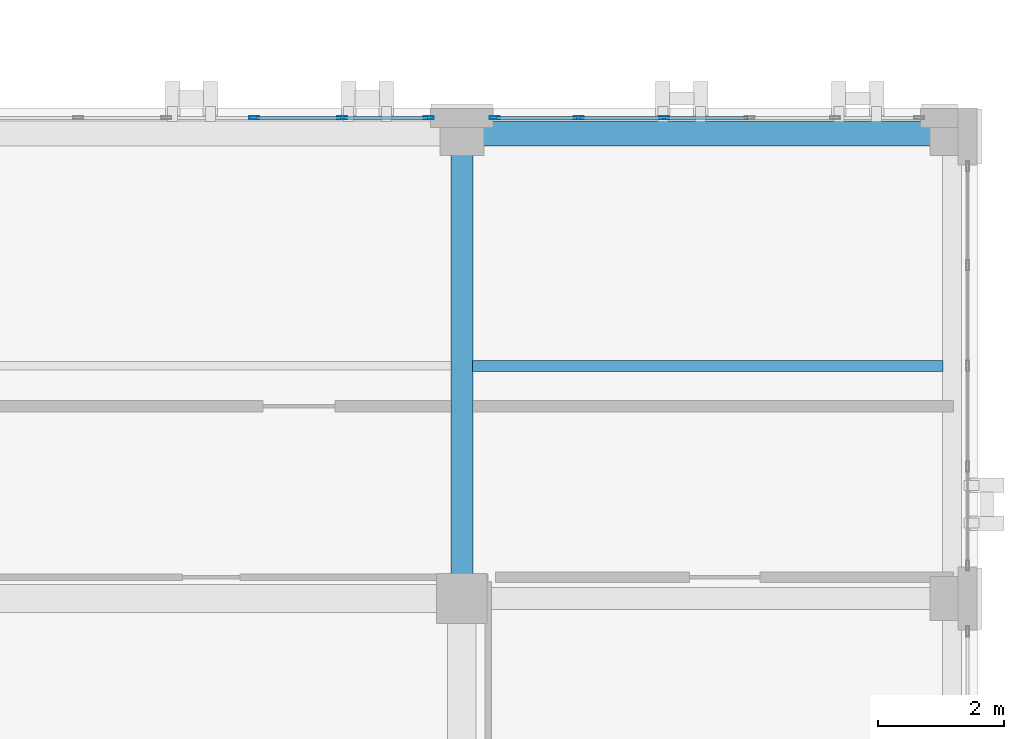
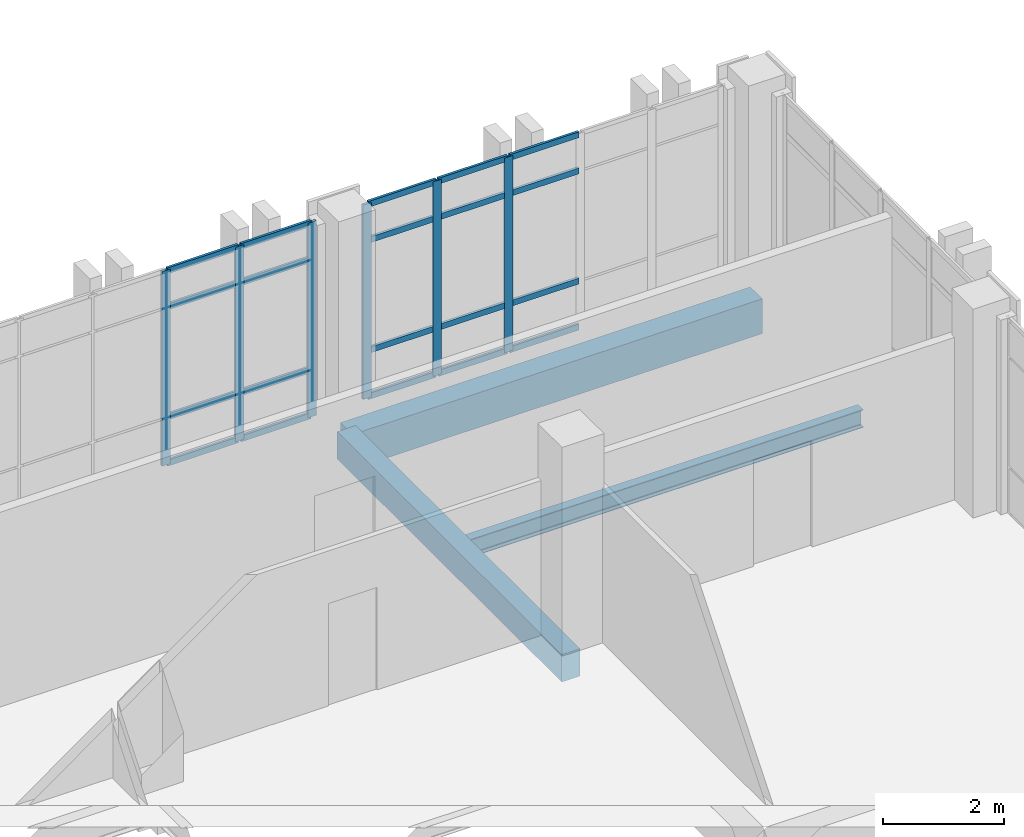
# One storey, part 127 of 193: 26 members, 3 beams, 2 elements without a shape of their own.
"""IFC4 building model written with IfcOpenShell, lengths in metres."""

import ifcopenshell
import ifcopenshell.guid

model = None  # the IFC model being written
_history = None  # IfcOwnerHistory: only IFC2X3 demands one
_inside = {}  # id of a spatial element -> (the spatial element, [elements in it])
_under = {}  # id of a project, library or spatial element -> (it, [spatial elements below it])
_declared = {}  # id of a project -> (the project, [libraries it declares])
_typed = {}  # id of a type object -> (the type object, [elements of that type])
_made_of = {}  # id of a material, layer set ... -> (it, [elements and type objects made of it])


def new_model(schema):
    """Start an empty IFC model of exactly this schema.

    Asked for "IFC4X3", IfcOpenShell would pick the latest addendum, in which some entities
    have other attributes; the version numbers below select the first issue.
    IFC2X3 requires an IfcOwnerHistory on every rooted entity: one is made here for all.
    """
    global model, _history
    if schema == "IFC4X3":
        model = ifcopenshell.file(schema_version=(4, 3, 0, 0))
    else:
        model = ifcopenshell.file(schema=schema)
    _inside.clear()
    _under.clear()
    _declared.clear()
    _typed.clear()
    _made_of.clear()
    _history = None
    if model.schema == "IFC2X3":
        org = make("IfcOrganization", Name="unknown")
        user = make(
            "IfcPersonAndOrganization",
            ThePerson=make("IfcPerson", FamilyName="unknown"),
            TheOrganization=org,
        )
        app = make(
            "IfcApplication",
            ApplicationDeveloper=org,
            Version="unknown",
            ApplicationFullName="unknown",
            ApplicationIdentifier="unknown",
        )
        _history = make(
            "IfcOwnerHistory",
            OwningUser=user,
            OwningApplication=app,
            ChangeAction="ADDED",
            CreationDate=0,
        )
    return model


def make(cls, **values):
    """One entity of the class cls with the attributes given. An attribute that is None is left unset."""
    return model.create_entity(
        cls, **{name: value for name, value in values.items() if value is not None}
    )


def rooted(cls, **values):
    """An entity with a GlobalId (a new one), such as an element, a storey or a relation."""
    return make(cls, GlobalId=ifcopenshell.guid.new(), OwnerHistory=_history, **values)


def si_unit(unit_type, name, prefix=None):
    """IfcSIUnit, for example si_unit("LENGTHUNIT", "METRE", prefix="MILLI")."""
    return make("IfcSIUnit", UnitType=unit_type, Prefix=prefix, Name=name)


def assignment(units):
    """IfcUnitAssignment: the units of a project."""
    return None if units is None else make("IfcUnitAssignment", Units=units)


def point(xyz):
    """IfcCartesianPoint."""
    return None if xyz is None else make("IfcCartesianPoint", Coordinates=xyz)


def direction(xyz):
    """IfcDirection."""
    return None if xyz is None else make("IfcDirection", DirectionRatios=xyz)


def frame(location, z_axis=None, x_axis=None):
    """IfcAxis2Placement3D, a coordinate frame: its origin and axes. An axis left out is left unset."""
    return make(
        "IfcAxis2Placement3D",
        Location=point(location),
        Axis=direction(z_axis),
        RefDirection=direction(x_axis),
    )


def frame_2d(location, x_axis=None):
    """IfcAxis2Placement2D, a coordinate frame in the plane: its origin and x axis."""
    return make(
        "IfcAxis2Placement2D", Location=point(location), RefDirection=direction(x_axis)
    )


def origin():
    """The frame at (0, 0, 0) with its axes left unset."""
    return frame((0.0, 0.0, 0.0))


def origin_2d():
    """The frame at (0, 0) in the plane with its x axis left unset."""
    return frame_2d((0.0, 0.0))


def place(relative_to, where):
    """IfcLocalPlacement: puts the frame where relative to a parent placement (None: the world)."""
    return make(
        "IfcLocalPlacement", PlacementRelTo=relative_to, RelativePlacement=where
    )


def context(
    kind, dimensions, precision=None, world=None, true_north=None, identifier=None
):
    """IfcGeometricRepresentationContext, for example the 3D "Model" context."""
    return make(
        "IfcGeometricRepresentationContext",
        ContextIdentifier=identifier,
        ContextType=kind,
        CoordinateSpaceDimension=dimensions,
        Precision=precision,
        WorldCoordinateSystem=world,
        TrueNorth=true_north,
    )


def subcontext(parent, identifier, kind, view, scale=None):
    """IfcGeometricRepresentationSubContext, for example "Body" below "Model"."""
    return make(
        "IfcGeometricRepresentationSubContext",
        ContextIdentifier=identifier,
        ContextType=kind,
        ParentContext=parent,
        TargetScale=scale,
        TargetView=view,
    )


def project(units=None, contexts=None):
    """IfcProject with its units and contexts."""
    return rooted(
        "IfcProject",
        Name="project",
        RepresentationContexts=contexts,
        UnitsInContext=assignment(units),
    )


def spatial(cls, under=None, at=None, **own):
    """A site, building, storey or space (cls), placed at a placement, below another one or the project."""
    s = rooted(cls, ObjectPlacement=at, **own)
    if under is not None:
        _under.setdefault(under.id(), (under, []))[1].append(s)
    return s


def profile(cls, at=None, kind="AREA", **sizes):
    """A parametric profile (cls). Its sizes go by their IFC names, for example OverallWidth=200.0."""
    return make(cls, ProfileType=kind, Position=at, **sizes)


def rectangle(**sizes):
    """IfcRectangleProfileDef."""
    return profile("IfcRectangleProfileDef", **sizes)


def hollow_rectangle(**sizes):
    """IfcRectangleHollowProfileDef."""
    return profile("IfcRectangleHollowProfileDef", **sizes)


def i_section(**sizes):
    """IfcIShapeProfileDef."""
    return profile("IfcIShapeProfileDef", **sizes)


def extrude(swept, where, along, depth):
    """IfcExtrudedAreaSolid: the profile swept, set in the frame where, extruded along a direction by depth."""
    return make(
        "IfcExtrudedAreaSolid",
        SweptArea=swept,
        Position=where,
        ExtrudedDirection=direction(along),
        Depth=depth,
    )


def shape(context_of_items, identifier, shape_type, items):
    """IfcShapeRepresentation: the items that make up one representation, for example the "Body"."""
    return make(
        "IfcShapeRepresentation",
        ContextOfItems=context_of_items,
        RepresentationIdentifier=identifier,
        RepresentationType=shape_type,
        Items=items,
    )


def material(Name=None, Category=None):
    """IfcMaterial."""
    return make("IfcMaterial", Name=Name, Category=Category)


def layer(
    of_material, thickness, ventilated=None, Name=None, Category=None, Priority=None
):
    """IfcMaterialLayer: one layer of a wall or slab, of a material (None: an air gap)."""
    return make(
        "IfcMaterialLayer",
        Material=of_material,
        LayerThickness=thickness,
        IsVentilated=ventilated,
        Name=Name,
        Category=Category,
        Priority=Priority,
    )


def layer_set(layers, Name=None):
    """IfcMaterialLayerSet."""
    return make("IfcMaterialLayerSet", MaterialLayers=layers, LayerSetName=Name)


def material_profile(
    of_material, cross_section, Name=None, Category=None, Priority=None
):
    """IfcMaterialProfile: a cross section and its material."""
    return make(
        "IfcMaterialProfile",
        Name=Name,
        Material=of_material,
        Profile=cross_section,
        Priority=Priority,
        Category=Category,
    )


def profile_set(profiles, Name=None, composite=None):
    """IfcMaterialProfileSet."""
    return make(
        "IfcMaterialProfileSet",
        Name=Name,
        MaterialProfiles=profiles,
        CompositeProfile=composite,
    )


def made_of(thing, what):
    """Note that an element or type object is made of a material, layer set ...; save() writes the relation."""
    if what is not None:
        _made_of.setdefault(what.id(), (what, []))[1].append(thing)
    return thing


def type_object(cls, material=None, **own):
    """A type object (cls), such as IfcWallType, which elements share."""
    return made_of(rooted(cls, **own), material)


def element(
    cls,
    number,
    at=None,
    inside=None,
    cuts=None,
    type_object=None,
    material=None,
    context=None,
    identifier="Body",
    shape_type=None,
    held_by="IfcProductDefinitionShape",
    body=None,
    shapes=None,
    **own,
):
    """One element of the class cls, such as IfcWall. Its Tag is "e" and its number.

    at: its placement. inside: the storey or other place that contains it. cuts: it is an
    opening in that element (IfcRelVoidsElement). A single representation is given by context,
    identifier, shape_type and body (its items); several are given by shapes. held_by: the class
    of the entity that holds the representations. save() writes the other relations.
    """
    e = rooted(cls, Tag="e%d" % number, ObjectPlacement=at, **own)
    if body is not None:
        shapes = [shape(context, identifier, shape_type, body)]
    if shapes is not None:
        e.Representation = make(held_by, Representations=shapes)
    if inside is not None:
        _inside.setdefault(inside.id(), (inside, []))[1].append(e)
    if cuts is not None:
        rooted(
            "IfcRelVoidsElement", RelatingBuildingElement=cuts, RelatedOpeningElement=e
        )
    if type_object is not None:
        _typed.setdefault(type_object.id(), (type_object, []))[1].append(e)
    return made_of(e, material)


def aggregate(whole, parts):
    """IfcRelAggregates: a whole, such as a stair, and the parts it consists of."""
    return rooted("IfcRelAggregates", RelatingObject=whole, RelatedObjects=parts)


def save(model, path):
    """Write the relations noted so far, then the file.

    IfcRelAggregates (storeys below a building ...), IfcRelContainedInSpatialStructure (elements
    in a storey), IfcRelDefinesByType, IfcRelAssociatesMaterial and IfcRelDeclares: one each for
    every whole, place, type object, material and project.
    """
    for whole, parts in _under.values():
        aggregate(whole, parts)
    for where, things in _inside.values():
        rooted(
            "IfcRelContainedInSpatialStructure",
            RelatedElements=things,
            RelatingStructure=where,
        )
    for kind, things in _typed.values():
        rooted("IfcRelDefinesByType", RelatedObjects=things, RelatingType=kind)
    for what, things in _made_of.values():
        rooted("IfcRelAssociatesMaterial", RelatedObjects=things, RelatingMaterial=what)
    for by, libraries in _declared.values():
        rooted("IfcRelDeclares", RelatingContext=by, RelatedDefinitions=libraries)
    model.write(path)


model = new_model("IFC4")

# Units and contexts
model_context = context("Model", 3, precision=1e-05, world=origin(), true_north=direction((0.0, 1.0)))
body_context = subcontext(model_context, "Body", "Model", "MODEL_VIEW")
ifc_project = project(units=[si_unit("LENGTHUNIT", "METRE"), si_unit("AREAUNIT", "SQUARE_METRE"), si_unit("VOLUMEUNIT", "CUBIC_METRE"), si_unit("PLANEANGLEUNIT", "RADIAN"), si_unit("MASSUNIT", "GRAM", prefix="KILO")], contexts=[model_context])

# Site, building, storey
site_placement = place(None, origin())
site = spatial("IfcSite", under=ifc_project, at=site_placement, CompositionType="ELEMENT")
building_placement = place(site_placement, origin())
building = spatial("IfcBuilding", under=site, at=building_placement, Name="Qalavern Law Courts", CompositionType="ELEMENT")
storey_placement = place(building_placement, frame((0.0, 0.0, 10.199951171875)))
storey = spatial("IfcBuildingStorey", under=building, at=storey_placement, Name="L02", CompositionType="ELEMENT", Elevation=10.199951171875)

# Curtain wall, members
ifc_material_1 = material(Name="Anodised aluminium and insulated glazing", Category="aluminium")
ifc_layer = layer(ifc_material_1, 0.172119140625)
ifc_layer_set = layer_set([ifc_layer], Name="Anodised aluminium and insulated glazing")
curtain_wall_type = type_object("IfcCurtainWallType", Name="ENV-CW-COURT", PredefinedType="USERDEFINED", material=ifc_layer_set)
curtain_wall_1_placement = place(storey_placement, origin())
curtain_wall_1 = element("IfcCurtainWall", 1, at=curtain_wall_1_placement, inside=storey, type_object=curtain_wall_type, Name="V6 unitised curtain wall L02 north 1", ObjectType="UNITISED CURTAIN WALL", PredefinedType="USERDEFINED")
ifc_material_2 = material(Name="Anodised aluminium", Category="aluminium")
ifc_material_profile_1 = material_profile(ifc_material_2, hollow_rectangle(XDim=0.048095703125, YDim=0.159912109375, WallThickness=0.00390625, at=origin_2d()), Name="ALU MULLION 48x160")
ifc_profile_set_1 = profile_set([ifc_material_profile_1], Name="Anodised aluminium")
member_type_1 = type_object("IfcMemberType", Name="ENV-CWM-48x160", PredefinedType="MULLION", material=ifc_profile_set_1)
member_1_placement = place(storey_placement, frame((161.02001953125, 22.445068359375, 0.0), z_axis=(0.0, 0.0, 1.0), x_axis=(0.0, -1.0, 0.0)))
member_1 = element("IfcMember", 2, at=member_1_placement, type_object=member_type_1, Name="CW-03 mullion 4", PredefinedType="MULLION", context=body_context, shape_type="SweptSolid", body=[
    extrude(hollow_rectangle(XDim=0.048095703125, YDim=0.159912109375, WallThickness=0.00390625, at=origin_2d()), origin(), (0.0, 0.0, 1.0), 3.9150390625),
])
member_2_placement = place(storey_placement, frame((159.659912109375, 22.445068359375, 0.0), z_axis=(0.0, 0.0, 1.0), x_axis=(0.0, -1.0, 0.0)))
member_2 = element("IfcMember", 3, at=member_2_placement, type_object=member_type_1, Name="CW-03 mullion 5", PredefinedType="MULLION", context=body_context, shape_type="SweptSolid", body=[
    extrude(hollow_rectangle(XDim=0.048095703125, YDim=0.159912109375, WallThickness=0.00390625, at=origin_2d()), origin(), (0.0, 0.0, 1.0), 3.9150390625),
])
member_3_placement = place(storey_placement, frame((158.323974609375, 22.445068359375, 0.0), z_axis=(0.0, 0.0, 1.0), x_axis=(0.0, -1.0, 0.0)))
member_3 = element("IfcMember", 4, at=member_3_placement, type_object=member_type_1, Name="CW-03 mullion 6", PredefinedType="MULLION", context=body_context, shape_type="SweptSolid", body=[
    extrude(hollow_rectangle(XDim=0.048095703125, YDim=0.159912109375, WallThickness=0.00390625, at=origin_2d()), origin(), (0.0, 0.0, 1.0), 3.9150390625),
])

curtain_wall_2_placement = place(storey_placement, origin())
curtain_wall_2 = element("IfcCurtainWall", 5, at=curtain_wall_2_placement, inside=storey, type_object=curtain_wall_type, Name="V6 unitised curtain wall L02 north 2", ObjectType="UNITISED CURTAIN WALL", PredefinedType="USERDEFINED")
member_4_placement = place(storey_placement, frame((157.27587890625, 22.445068359375, 0.0), z_axis=(0.0, 0.0, 1.0), x_axis=(0.0, -1.0, 0.0)))
member_4 = element("IfcMember", 6, at=member_4_placement, type_object=member_type_1, Name="CW-03 mullion 1", PredefinedType="MULLION", context=body_context, shape_type="SweptSolid", body=[
    extrude(hollow_rectangle(XDim=0.048095703125, YDim=0.159912109375, WallThickness=0.00390625, at=origin_2d()), origin(), (0.0, 0.0, 1.0), 3.9150390625),
])
member_5_placement = place(storey_placement, frame((155.89990234375, 22.445068359375, 0.0), z_axis=(0.0, 0.0, 1.0), x_axis=(0.0, -1.0, 0.0)))
member_5 = element("IfcMember", 7, at=member_5_placement, type_object=member_type_1, Name="CW-03 mullion 2", PredefinedType="MULLION", context=body_context, shape_type="SweptSolid", body=[
    extrude(hollow_rectangle(XDim=0.048095703125, YDim=0.159912109375, WallThickness=0.00390625, at=origin_2d()), origin(), (0.0, 0.0, 1.0), 3.9150390625),
])
member_6_placement = place(storey_placement, frame((154.5, 22.445068359375, 0.0), z_axis=(0.0, 0.0, 1.0), x_axis=(0.0, -1.0, 0.0)))
member_6 = element("IfcMember", 8, at=member_6_placement, type_object=member_type_1, Name="CW-03 mullion 3", PredefinedType="MULLION", context=body_context, shape_type="SweptSolid", body=[
    extrude(hollow_rectangle(XDim=0.048095703125, YDim=0.159912109375, WallThickness=0.00390625, at=origin_2d()), origin(), (0.0, 0.0, 1.0), 3.9150390625),
])

# Member
ifc_material_profile_2 = material_profile(ifc_material_2, hollow_rectangle(XDim=0.048095703125, YDim=0.1201171875, WallThickness=0.00390625, at=origin_2d()), Name="ALU TRANSOM 48x120")
ifc_profile_set_2 = profile_set([ifc_material_profile_2], Name="Anodised aluminium")
member_type_2 = type_object("IfcMemberType", Name="ENV-CWT-48x120", PredefinedType="USERDEFINED", material=ifc_profile_set_2)
member_7_placement = place(storey_placement, frame((162.35595703125, 22.445068359375, 0.024169921875), z_axis=(-1.0, 0.0, 0.0), x_axis=(0.0, -1.0, 0.0)))
member_7 = element("IfcMember", 9, at=member_7_placement, type_object=member_type_2, Name="CW-03 transom 3.1", ObjectType="TRANSOM", PredefinedType="USERDEFINED", context=body_context, shape_type="SweptSolid", body=[
    extrude(hollow_rectangle(XDim=0.048095703125, YDim=0.1201171875, WallThickness=0.00390625, at=origin_2d()), origin(), (0.0, 0.0, 1.0), 1.31201171875),
])

member_8_placement = place(storey_placement, frame((162.35595703125, 22.445068359375, 0.949951171875), z_axis=(-1.0, 0.0, 0.0), x_axis=(0.0, -1.0, 0.0)))
member_8 = element("IfcMember", 10, at=member_8_placement, type_object=member_type_2, Name="CW-03 transom 3.2", ObjectType="TRANSOM", PredefinedType="USERDEFINED", context=body_context, shape_type="SweptSolid", body=[
    extrude(hollow_rectangle(XDim=0.048095703125, YDim=0.1201171875, WallThickness=0.00390625, at=origin_2d()), origin(), (0.0, 0.0, 1.0), 1.31201171875),
])

member_9_placement = place(storey_placement, frame((162.35595703125, 22.445068359375, 3.1650390625), z_axis=(-1.0, 0.0, 0.0), x_axis=(0.0, -1.0, 0.0)))
member_9 = element("IfcMember", 11, at=member_9_placement, type_object=member_type_2, Name="CW-03 transom 3.3", ObjectType="TRANSOM", PredefinedType="USERDEFINED", context=body_context, shape_type="SweptSolid", body=[
    extrude(hollow_rectangle(XDim=0.048095703125, YDim=0.1201171875, WallThickness=0.00390625, at=origin_2d()), origin(), (0.0, 0.0, 1.0), 1.31201171875),
])

member_10_placement = place(storey_placement, frame((162.35595703125, 22.445068359375, 3.89111328125), z_axis=(-1.0, 0.0, 0.0), x_axis=(0.0, -1.0, 0.0)))
member_10 = element("IfcMember", 12, at=member_10_placement, type_object=member_type_2, Name="CW-03 transom 3.4", ObjectType="TRANSOM", PredefinedType="USERDEFINED", context=body_context, shape_type="SweptSolid", body=[
    extrude(hollow_rectangle(XDim=0.048095703125, YDim=0.1201171875, WallThickness=0.00390625, at=origin_2d()), origin(), (0.0, 0.0, 1.0), 1.31201171875),
])

member_11_placement = place(storey_placement, frame((160.99609375, 22.445068359375, 0.024169921875), z_axis=(-1.0, 0.0, 0.0), x_axis=(0.0, -1.0, 0.0)))
member_11 = element("IfcMember", 13, at=member_11_placement, type_object=member_type_2, Name="CW-03 transom 4.1", ObjectType="TRANSOM", PredefinedType="USERDEFINED", context=body_context, shape_type="SweptSolid", body=[
    extrude(hollow_rectangle(XDim=0.048095703125, YDim=0.1201171875, WallThickness=0.00390625, at=origin_2d()), origin(), (0.0, 0.0, 1.0), 1.31201171875),
])

member_12_placement = place(storey_placement, frame((160.99609375, 22.445068359375, 0.949951171875), z_axis=(-1.0, 0.0, 0.0), x_axis=(0.0, -1.0, 0.0)))
member_12 = element("IfcMember", 14, at=member_12_placement, type_object=member_type_2, Name="CW-03 transom 4.2", ObjectType="TRANSOM", PredefinedType="USERDEFINED", context=body_context, shape_type="SweptSolid", body=[
    extrude(hollow_rectangle(XDim=0.048095703125, YDim=0.1201171875, WallThickness=0.00390625, at=origin_2d()), origin(), (0.0, 0.0, 1.0), 1.31201171875),
])

member_13_placement = place(storey_placement, frame((160.99609375, 22.445068359375, 3.1650390625), z_axis=(-1.0, 0.0, 0.0), x_axis=(0.0, -1.0, 0.0)))
member_13 = element("IfcMember", 15, at=member_13_placement, type_object=member_type_2, Name="CW-03 transom 4.3", ObjectType="TRANSOM", PredefinedType="USERDEFINED", context=body_context, shape_type="SweptSolid", body=[
    extrude(hollow_rectangle(XDim=0.048095703125, YDim=0.1201171875, WallThickness=0.00390625, at=origin_2d()), origin(), (0.0, 0.0, 1.0), 1.31201171875),
])

member_14_placement = place(storey_placement, frame((160.99609375, 22.445068359375, 3.89111328125), z_axis=(-1.0, 0.0, 0.0), x_axis=(0.0, -1.0, 0.0)))
member_14 = element("IfcMember", 16, at=member_14_placement, type_object=member_type_2, Name="CW-03 transom 4.4", ObjectType="TRANSOM", PredefinedType="USERDEFINED", context=body_context, shape_type="SweptSolid", body=[
    extrude(hollow_rectangle(XDim=0.048095703125, YDim=0.1201171875, WallThickness=0.00390625, at=origin_2d()), origin(), (0.0, 0.0, 1.0), 1.31201171875),
])

member_15_placement = place(storey_placement, frame((159.635986328125, 22.445068359375, 0.024169921875), z_axis=(-1.0, 0.0, 0.0), x_axis=(0.0, -1.0, 0.0)))
member_15 = element("IfcMember", 17, at=member_15_placement, type_object=member_type_2, Name="CW-03 transom 5.1", ObjectType="TRANSOM", PredefinedType="USERDEFINED", context=body_context, shape_type="SweptSolid", body=[
    extrude(hollow_rectangle(XDim=0.048095703125, YDim=0.1201171875, WallThickness=0.00390625, at=origin_2d()), origin(), (0.0, 0.0, 1.0), 1.2880859375),
])

member_16_placement = place(storey_placement, frame((159.635986328125, 22.445068359375, 0.949951171875), z_axis=(-1.0, 0.0, 0.0), x_axis=(0.0, -1.0, 0.0)))
member_16 = element("IfcMember", 18, at=member_16_placement, type_object=member_type_2, Name="CW-03 transom 5.2", ObjectType="TRANSOM", PredefinedType="USERDEFINED", context=body_context, shape_type="SweptSolid", body=[
    extrude(hollow_rectangle(XDim=0.048095703125, YDim=0.1201171875, WallThickness=0.00390625, at=origin_2d()), origin(), (0.0, 0.0, 1.0), 1.2880859375),
])

member_17_placement = place(storey_placement, frame((159.635986328125, 22.445068359375, 3.1650390625), z_axis=(-1.0, 0.0, 0.0), x_axis=(0.0, -1.0, 0.0)))
member_17 = element("IfcMember", 19, at=member_17_placement, type_object=member_type_2, Name="CW-03 transom 5.3", ObjectType="TRANSOM", PredefinedType="USERDEFINED", context=body_context, shape_type="SweptSolid", body=[
    extrude(hollow_rectangle(XDim=0.048095703125, YDim=0.1201171875, WallThickness=0.00390625, at=origin_2d()), origin(), (0.0, 0.0, 1.0), 1.2880859375),
])

member_18_placement = place(storey_placement, frame((159.635986328125, 22.445068359375, 3.89111328125), z_axis=(-1.0, 0.0, 0.0), x_axis=(0.0, -1.0, 0.0)))
member_18 = element("IfcMember", 20, at=member_18_placement, type_object=member_type_2, Name="CW-03 transom 5.4", ObjectType="TRANSOM", PredefinedType="USERDEFINED", context=body_context, shape_type="SweptSolid", body=[
    extrude(hollow_rectangle(XDim=0.048095703125, YDim=0.1201171875, WallThickness=0.00390625, at=origin_2d()), origin(), (0.0, 0.0, 1.0), 1.2880859375),
])

aggregate(curtain_wall_1, [member_1, member_2, member_3, member_7, member_8, member_9, member_10, member_11, member_12, member_13, member_14, member_15, member_16, member_17, member_18])

member_19_placement = place(storey_placement, frame((157.251953125, 22.445068359375, 0.024169921875), z_axis=(-1.0, 0.0, 0.0), x_axis=(0.0, -1.0, 0.0)))
member_19 = element("IfcMember", 21, at=member_19_placement, type_object=member_type_2, Name="CW-03 transom 1.1", ObjectType="TRANSOM", PredefinedType="USERDEFINED", context=body_context, shape_type="SweptSolid", body=[
    extrude(hollow_rectangle(XDim=0.048095703125, YDim=0.1201171875, WallThickness=0.00390625, at=origin_2d()), origin(), (0.0, 0.0, 1.0), 1.327880859375),
])

member_20_placement = place(storey_placement, frame((157.251953125, 22.445068359375, 0.949951171875), z_axis=(-1.0, 0.0, 0.0), x_axis=(0.0, -1.0, 0.0)))
member_20 = element("IfcMember", 22, at=member_20_placement, type_object=member_type_2, Name="CW-03 transom 1.2", ObjectType="TRANSOM", PredefinedType="USERDEFINED", context=body_context, shape_type="SweptSolid", body=[
    extrude(hollow_rectangle(XDim=0.048095703125, YDim=0.1201171875, WallThickness=0.00390625, at=origin_2d()), origin(), (0.0, 0.0, 1.0), 1.327880859375),
])

member_21_placement = place(storey_placement, frame((157.251953125, 22.445068359375, 3.1650390625), z_axis=(-1.0, 0.0, 0.0), x_axis=(0.0, -1.0, 0.0)))
member_21 = element("IfcMember", 23, at=member_21_placement, type_object=member_type_2, Name="CW-03 transom 1.3", ObjectType="TRANSOM", PredefinedType="USERDEFINED", context=body_context, shape_type="SweptSolid", body=[
    extrude(hollow_rectangle(XDim=0.048095703125, YDim=0.1201171875, WallThickness=0.00390625, at=origin_2d()), origin(), (0.0, 0.0, 1.0), 1.327880859375),
])

member_22_placement = place(storey_placement, frame((157.251953125, 22.445068359375, 3.89111328125), z_axis=(-1.0, 0.0, 0.0), x_axis=(0.0, -1.0, 0.0)))
member_22 = element("IfcMember", 24, at=member_22_placement, type_object=member_type_2, Name="CW-03 transom 1.4", ObjectType="TRANSOM", PredefinedType="USERDEFINED", context=body_context, shape_type="SweptSolid", body=[
    extrude(hollow_rectangle(XDim=0.048095703125, YDim=0.1201171875, WallThickness=0.00390625, at=origin_2d()), origin(), (0.0, 0.0, 1.0), 1.327880859375),
])

member_23_placement = place(storey_placement, frame((155.8759765625, 22.445068359375, 0.024169921875), z_axis=(-1.0, 0.0, 0.0), x_axis=(0.0, -1.0, 0.0)))
member_23 = element("IfcMember", 25, at=member_23_placement, type_object=member_type_2, Name="CW-03 transom 2.1", ObjectType="TRANSOM", PredefinedType="USERDEFINED", context=body_context, shape_type="SweptSolid", body=[
    extrude(hollow_rectangle(XDim=0.048095703125, YDim=0.1201171875, WallThickness=0.00390625, at=origin_2d()), origin(), (0.0, 0.0, 1.0), 1.35205078125),
])

member_24_placement = place(storey_placement, frame((155.8759765625, 22.445068359375, 0.949951171875), z_axis=(-1.0, 0.0, 0.0), x_axis=(0.0, -1.0, 0.0)))
member_24 = element("IfcMember", 26, at=member_24_placement, type_object=member_type_2, Name="CW-03 transom 2.2", ObjectType="TRANSOM", PredefinedType="USERDEFINED", context=body_context, shape_type="SweptSolid", body=[
    extrude(hollow_rectangle(XDim=0.048095703125, YDim=0.1201171875, WallThickness=0.00390625, at=origin_2d()), origin(), (0.0, 0.0, 1.0), 1.35205078125),
])

member_25_placement = place(storey_placement, frame((155.8759765625, 22.445068359375, 3.1650390625), z_axis=(-1.0, 0.0, 0.0), x_axis=(0.0, -1.0, 0.0)))
member_25 = element("IfcMember", 27, at=member_25_placement, type_object=member_type_2, Name="CW-03 transom 2.3", ObjectType="TRANSOM", PredefinedType="USERDEFINED", context=body_context, shape_type="SweptSolid", body=[
    extrude(hollow_rectangle(XDim=0.048095703125, YDim=0.1201171875, WallThickness=0.00390625, at=origin_2d()), origin(), (0.0, 0.0, 1.0), 1.35205078125),
])

member_26_placement = place(storey_placement, frame((155.8759765625, 22.445068359375, 3.89111328125), z_axis=(-1.0, 0.0, 0.0), x_axis=(0.0, -1.0, 0.0)))
member_26 = element("IfcMember", 28, at=member_26_placement, type_object=member_type_2, Name="CW-03 transom 2.4", ObjectType="TRANSOM", PredefinedType="USERDEFINED", context=body_context, shape_type="SweptSolid", body=[
    extrude(hollow_rectangle(XDim=0.048095703125, YDim=0.1201171875, WallThickness=0.00390625, at=origin_2d()), origin(), (0.0, 0.0, 1.0), 1.35205078125),
])

aggregate(curtain_wall_2, [member_4, member_5, member_6, member_19, member_20, member_21, member_22, member_23, member_24, member_25, member_26])

# Beams
ifc_material_3 = material(Name="Concrete C35/45", Category="concrete")
ifc_material_profile_3 = material_profile(ifc_material_3, rectangle(XDim=0.35009765625, YDim=0.550048828125, at=origin_2d()), Name="RC 350x550")
ifc_profile_set_3 = profile_set([ifc_material_profile_3], Name="Concrete C35/45")
beam_type_1 = type_object("IfcBeamType", Name="STR-BM-RC350x550", PredefinedType="BEAM", material=ifc_profile_set_3)
beam_1_placement = place(storey_placement, frame((157.800048828125, 14.800048828125, -0.56494140625), z_axis=(0.0, 1.0, 0.0), x_axis=(-1.0, 0.0, 0.0)))
element("IfcBeam", 29, at=beam_1_placement, inside=storey, type_object=beam_type_1, Name="V6 Y-beam 8-3 L02", PredefinedType="BEAM", context=body_context, shape_type="SweptSolid", body=[
    extrude(rectangle(XDim=0.35009765625, YDim=0.550048828125, at=origin_2d()), origin(), (0.0, 0.0, 1.0), 7.39990234375),
])
ifc_material_4 = material(Name="Steel S355", Category="steel")
ifc_material_profile_4 = material_profile(ifc_material_4, i_section(OverallWidth=0.169921875, OverallDepth=0.360107421875, WebThickness=0.008056640625, FlangeThickness=0.0126953125, FilletRadius=0.01806640625, at=origin_2d()), Name="IPE 360")
ifc_profile_set_4 = profile_set([ifc_material_profile_4], Name="Steel S355")
beam_type_2 = type_object("IfcBeamType", Name="STR-JST-IPE360", PredefinedType="JOIST", material=ifc_profile_set_4)
beam_2_placement = place(storey_placement, frame((157.972900390625, 18.5, -0.469970703125), z_axis=(1.0, 0.0, 0.0), x_axis=(0.0, 1.0, 0.0)))
element("IfcBeam", 30, at=beam_2_placement, inside=storey, type_object=beam_type_2, Name="V6 secondary joist 8.3.1 L02", PredefinedType="JOIST", context=body_context, shape_type="SweptSolid", body=[
    extrude(i_section(OverallWidth=0.169921875, OverallDepth=0.360107421875, WebThickness=0.008056640625, FlangeThickness=0.0126953125, FilletRadius=0.01806640625, at=origin_2d()), origin(), (0.0, 0.0, 1.0), 7.47900390625),
])
ifc_material_5 = material(Name="Concrete C40/50", Category="concrete")
ifc_material_profile_5 = material_profile(ifc_material_5, rectangle(XDim=0.39990234375, YDim=0.699951171875, at=origin_2d()), Name="RC 400x700")
ifc_profile_set_5 = profile_set([ifc_material_profile_5], Name="Concrete C40/50")
beam_type_3 = type_object("IfcBeamType", Name="STR-SP-RC400x700", PredefinedType="SPANDREL", material=ifc_profile_set_5)
beam_3_placement = place(storey_placement, frame((157.800048828125, 22.199951171875, -0.639892578125), z_axis=(1.0, 0.0, 0.0), x_axis=(0.0, 1.0, 0.0)))
element("IfcBeam", 31, at=beam_3_placement, inside=storey, type_object=beam_type_3, Name="V6 X-beam 4-8 L02", PredefinedType="SPANDREL", context=body_context, shape_type="SweptSolid", body=[
    extrude(rectangle(XDim=0.39990234375, YDim=0.699951171875, at=origin_2d()), origin(), (0.0, 0.0, 1.0), 7.800048828125),
])

save(model, "model.ifc")
